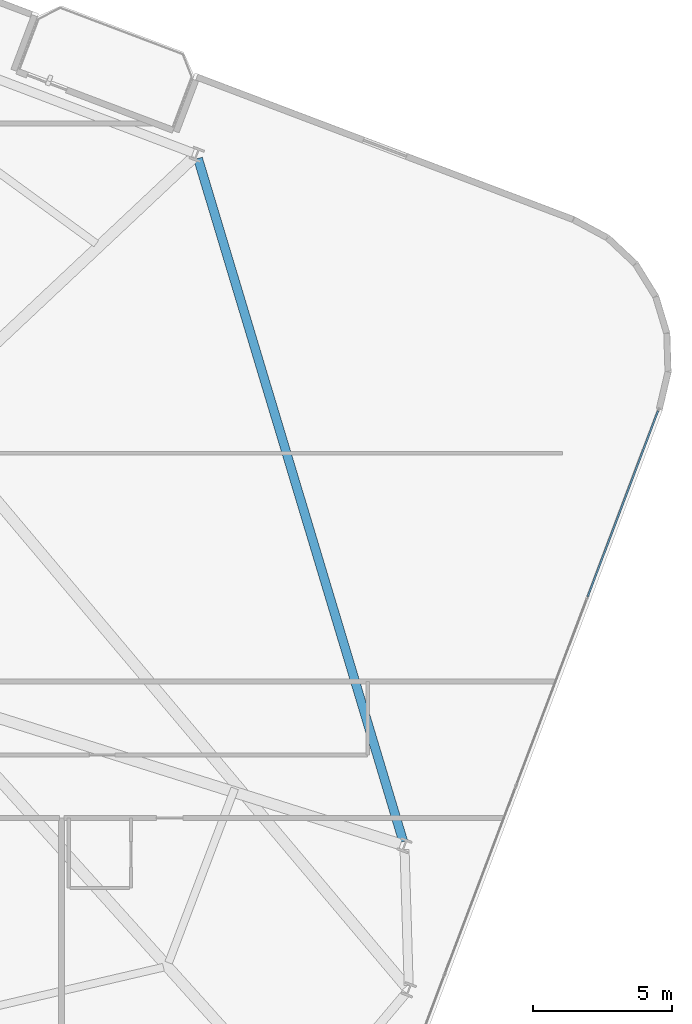
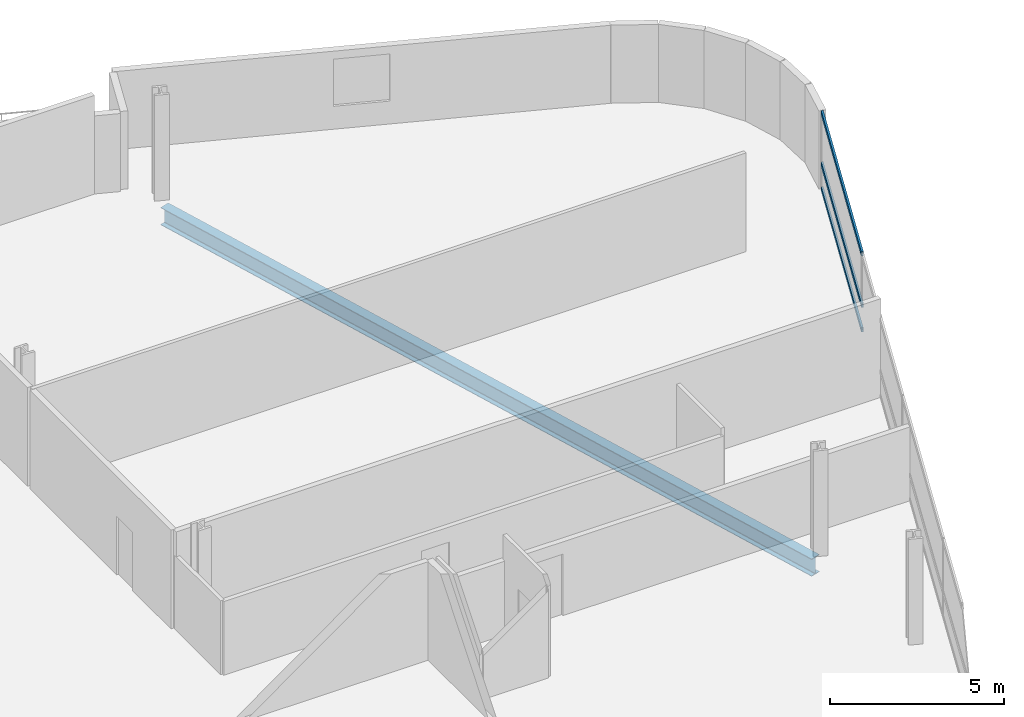
# One storey, part 14 of 24: 3 members, 1 beam, 1 element without a shape of its own.
"""IFC4 building model written with IfcOpenShell, lengths in metres."""

import ifcopenshell
import ifcopenshell.guid

model = None  # the IFC model being written
_history = None  # IfcOwnerHistory: only IFC2X3 demands one
_inside = {}  # id of a spatial element -> (the spatial element, [elements in it])
_under = {}  # id of a project, library or spatial element -> (it, [spatial elements below it])
_declared = {}  # id of a project -> (the project, [libraries it declares])
_typed = {}  # id of a type object -> (the type object, [elements of that type])
_made_of = {}  # id of a material, layer set ... -> (it, [elements and type objects made of it])


def new_model(schema):
    """Start an empty IFC model of exactly this schema.

    Asked for "IFC4X3", IfcOpenShell would pick the latest addendum, in which some entities
    have other attributes; the version numbers below select the first issue.
    IFC2X3 requires an IfcOwnerHistory on every rooted entity: one is made here for all.
    """
    global model, _history
    if schema == "IFC4X3":
        model = ifcopenshell.file(schema_version=(4, 3, 0, 0))
    else:
        model = ifcopenshell.file(schema=schema)
    _inside.clear()
    _under.clear()
    _declared.clear()
    _typed.clear()
    _made_of.clear()
    _history = None
    if model.schema == "IFC2X3":
        org = make("IfcOrganization", Name="unknown")
        user = make(
            "IfcPersonAndOrganization",
            ThePerson=make("IfcPerson", FamilyName="unknown"),
            TheOrganization=org,
        )
        app = make(
            "IfcApplication",
            ApplicationDeveloper=org,
            Version="unknown",
            ApplicationFullName="unknown",
            ApplicationIdentifier="unknown",
        )
        _history = make(
            "IfcOwnerHistory",
            OwningUser=user,
            OwningApplication=app,
            ChangeAction="ADDED",
            CreationDate=0,
        )
    return model


def make(cls, **values):
    """One entity of the class cls with the attributes given. An attribute that is None is left unset."""
    return model.create_entity(
        cls, **{name: value for name, value in values.items() if value is not None}
    )


def rooted(cls, **values):
    """An entity with a GlobalId (a new one), such as an element, a storey or a relation."""
    return make(cls, GlobalId=ifcopenshell.guid.new(), OwnerHistory=_history, **values)


def si_unit(unit_type, name, prefix=None):
    """IfcSIUnit, for example si_unit("LENGTHUNIT", "METRE", prefix="MILLI")."""
    return make("IfcSIUnit", UnitType=unit_type, Prefix=prefix, Name=name)


def assignment(units):
    """IfcUnitAssignment: the units of a project."""
    return None if units is None else make("IfcUnitAssignment", Units=units)


def point(xyz):
    """IfcCartesianPoint."""
    return None if xyz is None else make("IfcCartesianPoint", Coordinates=xyz)


def direction(xyz):
    """IfcDirection."""
    return None if xyz is None else make("IfcDirection", DirectionRatios=xyz)


def frame(location, z_axis=None, x_axis=None):
    """IfcAxis2Placement3D, a coordinate frame: its origin and axes. An axis left out is left unset."""
    return make(
        "IfcAxis2Placement3D",
        Location=point(location),
        Axis=direction(z_axis),
        RefDirection=direction(x_axis),
    )


def frame_2d(location, x_axis=None):
    """IfcAxis2Placement2D, a coordinate frame in the plane: its origin and x axis."""
    return make(
        "IfcAxis2Placement2D", Location=point(location), RefDirection=direction(x_axis)
    )


def origin():
    """The frame at (0, 0, 0) with its axes left unset."""
    return frame((0.0, 0.0, 0.0))


def origin_2d():
    """The frame at (0, 0) in the plane with its x axis left unset."""
    return frame_2d((0.0, 0.0))


def place(relative_to, where):
    """IfcLocalPlacement: puts the frame where relative to a parent placement (None: the world)."""
    return make(
        "IfcLocalPlacement", PlacementRelTo=relative_to, RelativePlacement=where
    )


def context(
    kind, dimensions, precision=None, world=None, true_north=None, identifier=None
):
    """IfcGeometricRepresentationContext, for example the 3D "Model" context."""
    return make(
        "IfcGeometricRepresentationContext",
        ContextIdentifier=identifier,
        ContextType=kind,
        CoordinateSpaceDimension=dimensions,
        Precision=precision,
        WorldCoordinateSystem=world,
        TrueNorth=true_north,
    )


def subcontext(parent, identifier, kind, view, scale=None):
    """IfcGeometricRepresentationSubContext, for example "Body" below "Model"."""
    return make(
        "IfcGeometricRepresentationSubContext",
        ContextIdentifier=identifier,
        ContextType=kind,
        ParentContext=parent,
        TargetScale=scale,
        TargetView=view,
    )


def project(units=None, contexts=None):
    """IfcProject with its units and contexts."""
    return rooted(
        "IfcProject",
        Name="project",
        RepresentationContexts=contexts,
        UnitsInContext=assignment(units),
    )


def spatial(cls, under=None, at=None, **own):
    """A site, building, storey or space (cls), placed at a placement, below another one or the project."""
    s = rooted(cls, ObjectPlacement=at, **own)
    if under is not None:
        _under.setdefault(under.id(), (under, []))[1].append(s)
    return s


def profile(cls, at=None, kind="AREA", **sizes):
    """A parametric profile (cls). Its sizes go by their IFC names, for example OverallWidth=200.0."""
    return make(cls, ProfileType=kind, Position=at, **sizes)


def hollow_rectangle(**sizes):
    """IfcRectangleHollowProfileDef."""
    return profile("IfcRectangleHollowProfileDef", **sizes)


def i_section(**sizes):
    """IfcIShapeProfileDef."""
    return profile("IfcIShapeProfileDef", **sizes)


def extrude(swept, where, along, depth):
    """IfcExtrudedAreaSolid: the profile swept, set in the frame where, extruded along a direction by depth."""
    return make(
        "IfcExtrudedAreaSolid",
        SweptArea=swept,
        Position=where,
        ExtrudedDirection=direction(along),
        Depth=depth,
    )


def shape(context_of_items, identifier, shape_type, items):
    """IfcShapeRepresentation: the items that make up one representation, for example the "Body"."""
    return make(
        "IfcShapeRepresentation",
        ContextOfItems=context_of_items,
        RepresentationIdentifier=identifier,
        RepresentationType=shape_type,
        Items=items,
    )


def material(Name=None, Category=None):
    """IfcMaterial."""
    return make("IfcMaterial", Name=Name, Category=Category)


def layer(
    of_material, thickness, ventilated=None, Name=None, Category=None, Priority=None
):
    """IfcMaterialLayer: one layer of a wall or slab, of a material (None: an air gap)."""
    return make(
        "IfcMaterialLayer",
        Material=of_material,
        LayerThickness=thickness,
        IsVentilated=ventilated,
        Name=Name,
        Category=Category,
        Priority=Priority,
    )


def layer_set(layers, Name=None):
    """IfcMaterialLayerSet."""
    return make("IfcMaterialLayerSet", MaterialLayers=layers, LayerSetName=Name)


def material_profile(
    of_material, cross_section, Name=None, Category=None, Priority=None
):
    """IfcMaterialProfile: a cross section and its material."""
    return make(
        "IfcMaterialProfile",
        Name=Name,
        Material=of_material,
        Profile=cross_section,
        Priority=Priority,
        Category=Category,
    )


def profile_set(profiles, Name=None, composite=None):
    """IfcMaterialProfileSet."""
    return make(
        "IfcMaterialProfileSet",
        Name=Name,
        MaterialProfiles=profiles,
        CompositeProfile=composite,
    )


def made_of(thing, what):
    """Note that an element or type object is made of a material, layer set ...; save() writes the relation."""
    if what is not None:
        _made_of.setdefault(what.id(), (what, []))[1].append(thing)
    return thing


def type_object(cls, material=None, **own):
    """A type object (cls), such as IfcWallType, which elements share."""
    return made_of(rooted(cls, **own), material)


def element(
    cls,
    number,
    at=None,
    inside=None,
    cuts=None,
    type_object=None,
    material=None,
    context=None,
    identifier="Body",
    shape_type=None,
    held_by="IfcProductDefinitionShape",
    body=None,
    shapes=None,
    **own,
):
    """One element of the class cls, such as IfcWall. Its Tag is "e" and its number.

    at: its placement. inside: the storey or other place that contains it. cuts: it is an
    opening in that element (IfcRelVoidsElement). A single representation is given by context,
    identifier, shape_type and body (its items); several are given by shapes. held_by: the class
    of the entity that holds the representations. save() writes the other relations.
    """
    e = rooted(cls, Tag="e%d" % number, ObjectPlacement=at, **own)
    if body is not None:
        shapes = [shape(context, identifier, shape_type, body)]
    if shapes is not None:
        e.Representation = make(held_by, Representations=shapes)
    if inside is not None:
        _inside.setdefault(inside.id(), (inside, []))[1].append(e)
    if cuts is not None:
        rooted(
            "IfcRelVoidsElement", RelatingBuildingElement=cuts, RelatedOpeningElement=e
        )
    if type_object is not None:
        _typed.setdefault(type_object.id(), (type_object, []))[1].append(e)
    return made_of(e, material)


def aggregate(whole, parts):
    """IfcRelAggregates: a whole, such as a stair, and the parts it consists of."""
    return rooted("IfcRelAggregates", RelatingObject=whole, RelatedObjects=parts)


def save(model, path):
    """Write the relations noted so far, then the file.

    IfcRelAggregates (storeys below a building ...), IfcRelContainedInSpatialStructure (elements
    in a storey), IfcRelDefinesByType, IfcRelAssociatesMaterial and IfcRelDeclares: one each for
    every whole, place, type object, material and project.
    """
    for whole, parts in _under.values():
        aggregate(whole, parts)
    for where, things in _inside.values():
        rooted(
            "IfcRelContainedInSpatialStructure",
            RelatedElements=things,
            RelatingStructure=where,
        )
    for kind, things in _typed.values():
        rooted("IfcRelDefinesByType", RelatedObjects=things, RelatingType=kind)
    for what, things in _made_of.values():
        rooted("IfcRelAssociatesMaterial", RelatedObjects=things, RelatingMaterial=what)
    for by, libraries in _declared.values():
        rooted("IfcRelDeclares", RelatingContext=by, RelatedDefinitions=libraries)
    model.write(path)


model = new_model("IFC4")

# Units and contexts
model_context = context("Model", 3, precision=1e-05, world=origin(), true_north=direction((0.0, 1.0)))
body_context = subcontext(model_context, "Body", "Model", "MODEL_VIEW")
ifc_project = project(units=[si_unit("LENGTHUNIT", "METRE"), si_unit("AREAUNIT", "SQUARE_METRE"), si_unit("VOLUMEUNIT", "CUBIC_METRE"), si_unit("PLANEANGLEUNIT", "RADIAN"), si_unit("MASSUNIT", "GRAM", prefix="KILO")], contexts=[model_context])

# Site, building, storey
site_placement = place(None, origin())
site = spatial("IfcSite", under=ifc_project, at=site_placement, CompositionType="ELEMENT")
building_placement = place(site_placement, origin())
building = spatial("IfcBuilding", under=site, at=building_placement, Name="Varnelok Gate Tower", CompositionType="ELEMENT")
storey_placement = place(building_placement, frame((0.0, 0.0, 87.300048828125)))
storey = spatial("IfcBuildingStorey", under=building, at=storey_placement, Name="L21", CompositionType="ELEMENT", Elevation=87.300048828125)

# Beam
ifc_material_1 = material(Name="Structural Steel ASTM A992 Grade 50", Category="steel")
ifc_material_profile_1 = material_profile(ifc_material_1, i_section(OverallWidth=0.323974609375, OverallDepth=0.611083984375, WebThickness=0.0126953125, FlangeThickness=0.01904296875, FilletRadius=0.01806640625, at=origin_2d()), Name="W24X104")
ifc_profile_set_1 = profile_set([ifc_material_profile_1], Name="Structural Steel ASTM A992 Grade 50")
beam_type = type_object("IfcBeamType", Name="BM-SPN-W24X104", PredefinedType="SPANDREL", material=ifc_profile_set_1)
beam_placement = place(storey_placement, frame((71.27587890625, 13.497802734375, -0.5556640625), z_axis=(-0.287745549664, 0.957706896001, 0.0), x_axis=(-0.957706896001, -0.287745549664, 0.0)))
element("IfcBeam", 1, at=beam_placement, inside=storey, type_object=beam_type, Name="L21 Perimeter Spandrel Beam 8", PredefinedType="SPANDREL", context=body_context, shape_type="SweptSolid", body=[
    extrude(i_section(OverallWidth=0.323974609375, OverallDepth=0.611083984375, WebThickness=0.0126953125, FlangeThickness=0.01904296875, FilletRadius=0.01806640625, at=origin_2d()), origin(), (0.0, 0.0, 1.0), 25.6259765625),
])

# Curtain wall, members
ifc_material_2 = material(Name="Anodized Aluminum Alloy 6063-T6", Category="aluminium")
ifc_layer = layer(ifc_material_2, 0.179931640625)
ifc_layer_set = layer_set([ifc_layer], Name="Anodized Aluminum Alloy 6063-T6")
curtain_wall_type = type_object("IfcCurtainWallType", Name="CW3-HOTEL-VISION", PredefinedType="USERDEFINED", material=ifc_layer_set)
curtain_wall_placement = place(storey_placement, origin())
curtain_wall = element("IfcCurtainWall", 2, at=curtain_wall_placement, inside=storey, type_object=curtain_wall_type, Name="L21 East End Vision Curtain Wall", ObjectType="UNITISED CURTAIN WALL", PredefinedType="USERDEFINED")
ifc_material_profile_2 = material_profile(ifc_material_2, hollow_rectangle(XDim=0.06494140625, YDim=0.159912109375, WallThickness=0.00390625, at=origin_2d()), Name="ALU160X65X4")
ifc_profile_set_2 = profile_set([ifc_material_profile_2], Name="Anodized Aluminum Alloy 6063-T6")
member_type = type_object("IfcMemberType", Name="CW-TRAN-160", PredefinedType="USERDEFINED", material=ifc_profile_set_2)
member_1_placement = place(storey_placement, frame((80.431884765625, 28.974365234375, 0.032470703125), z_axis=(-0.35404725046, -0.935227536187, 0.0), x_axis=(0.935227536187, -0.35404725046, 0.0)))
member_1 = element("IfcMember", 3, at=member_1_placement, type_object=member_type, Name="CW3 transom 1.1", ObjectType="TRANSOM", PredefinedType="USERDEFINED", context=body_context, shape_type="SweptSolid", body=[
    extrude(hollow_rectangle(XDim=0.06494140625, YDim=0.159912109375, WallThickness=0.00390625, at=origin_2d()), origin(), (0.0, 0.0, 1.0), 7.142578125),
])
member_2_placement = place(storey_placement, frame((80.431884765625, 28.974365234375, 0.89990234375), z_axis=(-0.35404725046, -0.935227536187, 0.0), x_axis=(0.935227536187, -0.35404725046, 0.0)))
member_2 = element("IfcMember", 4, at=member_2_placement, type_object=member_type, Name="CW3 transom 1.2", ObjectType="TRANSOM", PredefinedType="USERDEFINED", context=body_context, shape_type="SweptSolid", body=[
    extrude(hollow_rectangle(XDim=0.06494140625, YDim=0.159912109375, WallThickness=0.00390625, at=origin_2d()), origin(), (0.0, 0.0, 1.0), 7.142578125),
])
member_3_placement = place(storey_placement, frame((80.431884765625, 28.974365234375, 2.697509765625), z_axis=(-0.35404725046, -0.935227536187, 0.0), x_axis=(0.935227536187, -0.35404725046, 0.0)))
member_3 = element("IfcMember", 5, at=member_3_placement, type_object=member_type, Name="CW3 transom 1.3", ObjectType="TRANSOM", PredefinedType="USERDEFINED", context=body_context, shape_type="SweptSolid", body=[
    extrude(hollow_rectangle(XDim=0.06494140625, YDim=0.159912109375, WallThickness=0.00390625, at=origin_2d()), origin(), (0.0, 0.0, 1.0), 7.142578125),
])
aggregate(curtain_wall, [member_1, member_2, member_3])

save(model, "model.ifc")
